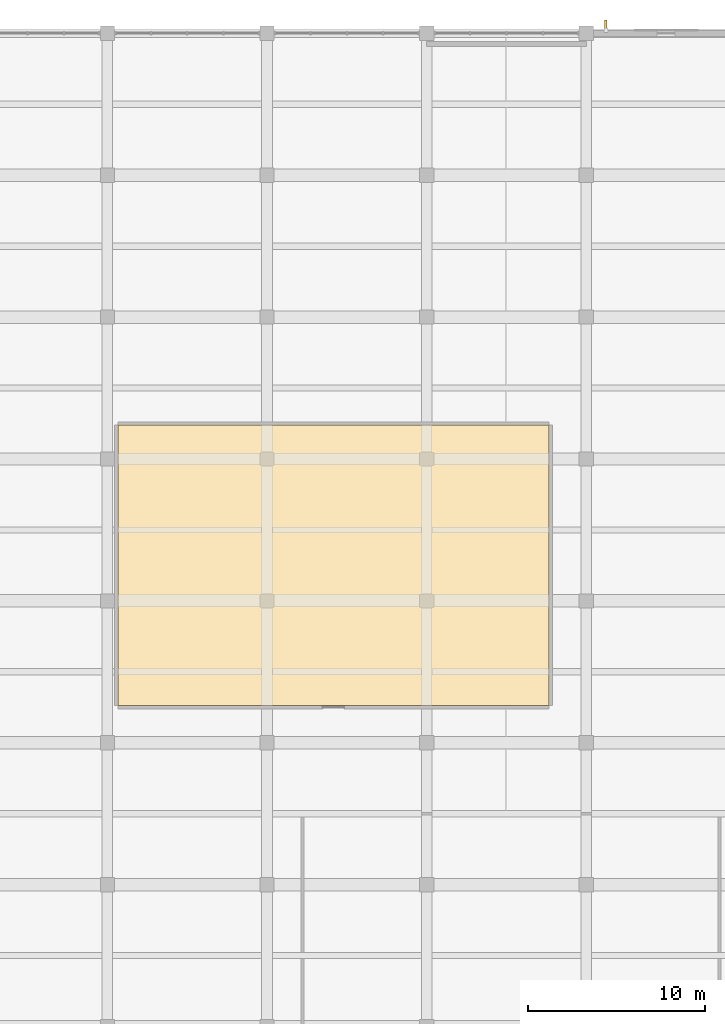
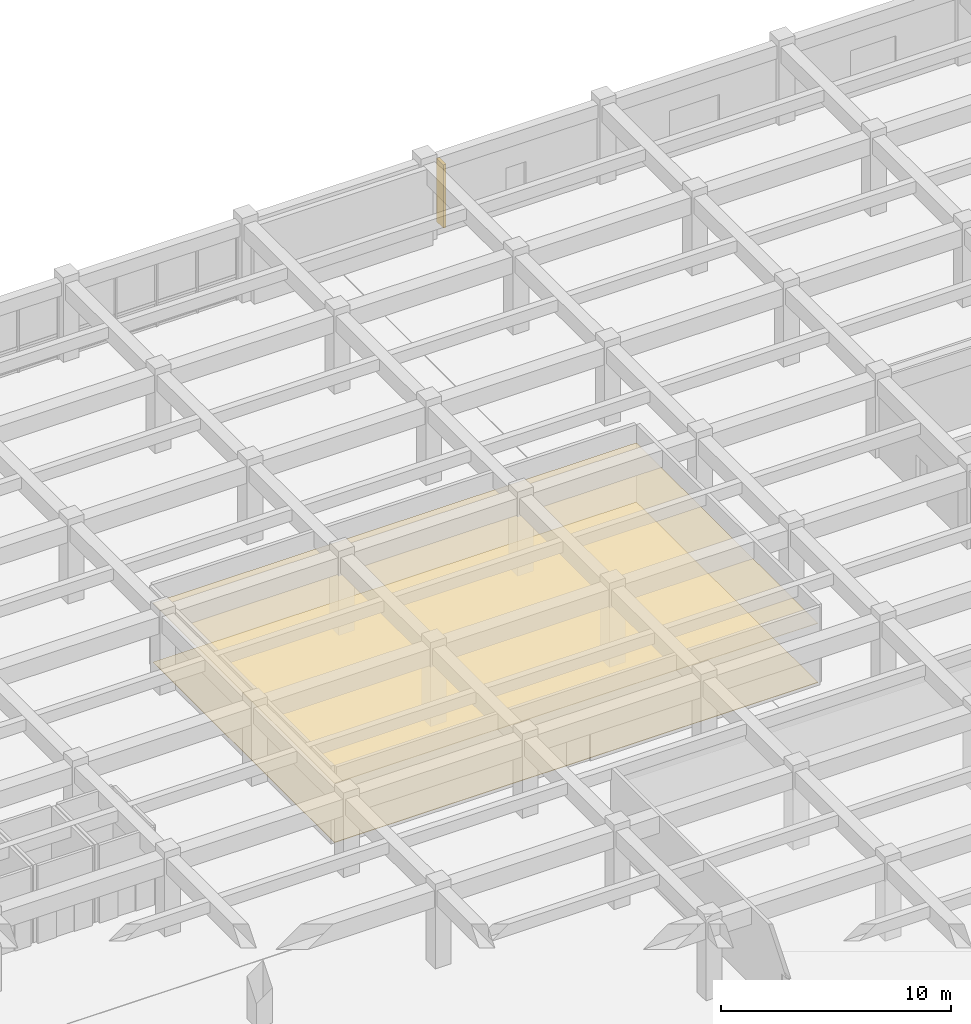
# One storey, part 47 of 50: 2 coverings, 1 shading device.
"""IFC4 building model written with IfcOpenShell, lengths in metres."""

from ifc_helpers import new_model, si_unit, direction, frame, frame_2d, origin, place, context, subcontext, project, spatial, polyline, rectangle, outline, extrude, material, layer, layer_set, type_object, element, save


model = new_model("IFC4")

# Units and contexts
model_context = context("Model", 3, precision=1e-05, world=origin(), true_north=direction((0.0, 1.0)))
body_context = subcontext(model_context, "Body", "Model", "MODEL_VIEW")
ifc_project = project(units=[si_unit("LENGTHUNIT", "METRE"), si_unit("AREAUNIT", "SQUARE_METRE"), si_unit("VOLUMEUNIT", "CUBIC_METRE"), si_unit("PLANEANGLEUNIT", "RADIAN"), si_unit("MASSUNIT", "GRAM", prefix="KILO")], contexts=[model_context])

# Site, building, storey
site_placement = place(None, origin())
site = spatial("IfcSite", under=ifc_project, at=site_placement, CompositionType="ELEMENT")
building_placement = place(site_placement, origin())
building = spatial("IfcBuilding", under=site, at=building_placement, Name="Zaverband Oceanarium and Marine Research Institute", CompositionType="ELEMENT")
storey_placement = place(building_placement, frame((0.0, 0.0, 9.0)))
storey = spatial("IfcBuildingStorey", under=building, at=storey_placement, Name="L02", CompositionType="ELEMENT", Elevation=9.0)

# Coverings
ifc_material_1 = material(Name="Perforated mineral-fibre acoustic ceiling tile")
ifc_layer_1 = layer(ifc_material_1, 0.02490234375, Name="Perforated mineral-fibre acoustic ceiling tile")
ifc_layer_set_1 = layer_set([ifc_layer_1], Name="Perforated mineral-fibre acoustic ceiling tile")
covering_type_1 = type_object("IfcCoveringType", Name="CLG-AC-15", PredefinedType="CEILING", material=ifc_layer_set_1)
covering_1_placement = place(storey_placement, frame((0.0, 0.0, 3.14990234375)))
element("IfcCovering", 1, at=covering_1_placement, inside=storey, type_object=covering_type_1, Name="Suspended acoustic ceiling CLG-AC-15", PredefinedType="CEILING", context=body_context, shape_type="SweptSolid", body=[
    extrude(outline(polyline([(99.590087890625, 82.090087890625), (123.909912109375, 82.090087890625), (123.909912109375, 97.909912109375), (99.590087890625, 97.909912109375), (99.590087890625, 82.090087890625)])), origin(), (0.0, 0.0, 1.0), 0.025146484375),
])
ifc_material_2 = material(Name="Polished marine terrazzo and seamless laboratory epoxy flooring")
ifc_layer_2 = layer(ifc_material_2, 0.02490234375, Name="Polished marine terrazzo and seamless laboratory epoxy flooring")
ifc_layer_set_2 = layer_set([ifc_layer_2], Name="Polished marine terrazzo and seamless laboratory epoxy flooring")
covering_type_2 = type_object("IfcCoveringType", Name="FLR-TRZ-20", PredefinedType="FLOORING", material=ifc_layer_set_2)
covering_2_placement = place(storey_placement, origin())
element("IfcCovering", 2, at=covering_2_placement, inside=storey, type_object=covering_type_2, Name="Terrazzo and marine epoxy floor finish FLR-TRZ-20", PredefinedType="FLOORING", context=body_context, shape_type="SweptSolid", body=[
    extrude(outline(polyline([(99.590087890625, 82.090087890625), (123.909912109375, 82.090087890625), (123.909912109375, 97.909912109375), (99.590087890625, 97.909912109375), (99.590087890625, 82.090087890625)])), origin(), (0.0, 0.0, 1.0), 0.02490234375),
])

# Shading device
ifc_material_3 = material(Name="Concrete C40/50 precast brise-soleil", Category="concrete")
ifc_layer_3 = layer(ifc_material_3, 0.139892578125, Name="Concrete C40/50 precast brise-soleil")
ifc_layer_set_3 = layer_set([ifc_layer_3], Name="Concrete C40/50 precast brise-soleil")
shading_device_type = type_object("IfcShadingDeviceType", Name="SHD-FIN-600", PredefinedType="JALOUSIE", material=ifc_layer_set_3)
shading_device_placement = place(storey_placement, frame((127.10498046875, 120.14990234375, 0.0), z_axis=(0.0, 0.0, 1.0), x_axis=(0.0, 1.0, 0.0)))
element("IfcShadingDevice", 3, at=shading_device_placement, inside=storey, type_object=shading_device_type, Name="600 mm vertical precast brise-soleil fin SHD-FIN-600", PredefinedType="JALOUSIE", context=body_context, shape_type="SweptSolid", body=[
    extrude(rectangle(XDim=0.60009765625, YDim=0.139892578125, at=frame_2d((0.300048828125, 0.0))), origin(), (0.0, 0.0, 1.0), 3.3701171875),
])

save(model, "model.ifc")
